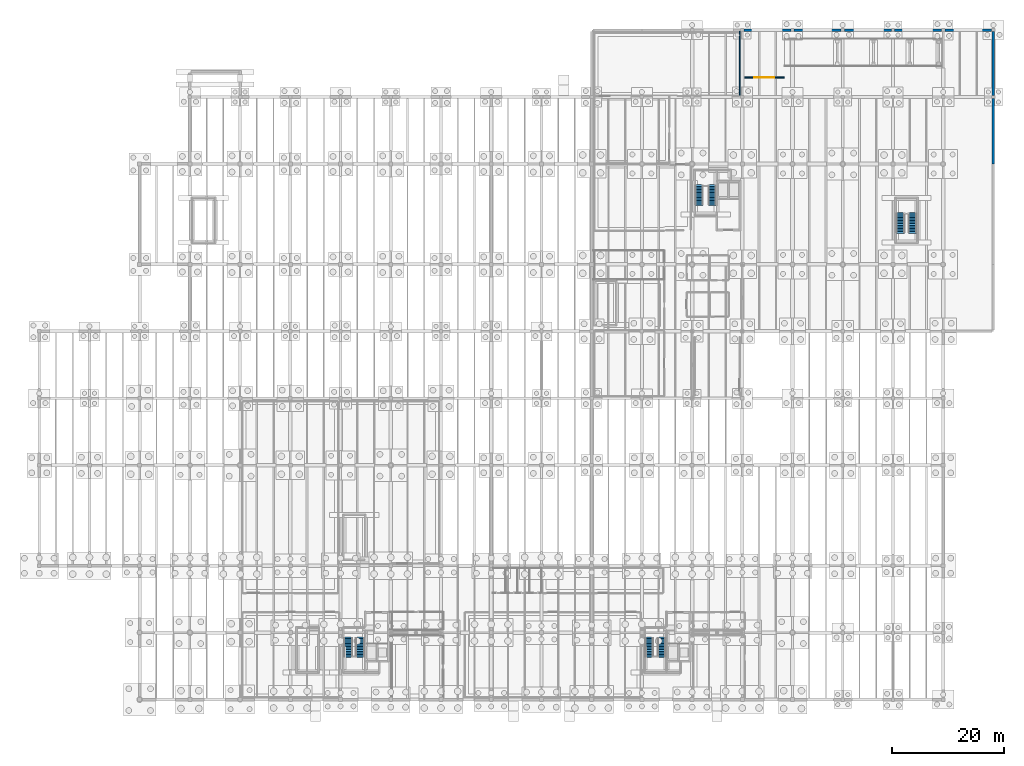
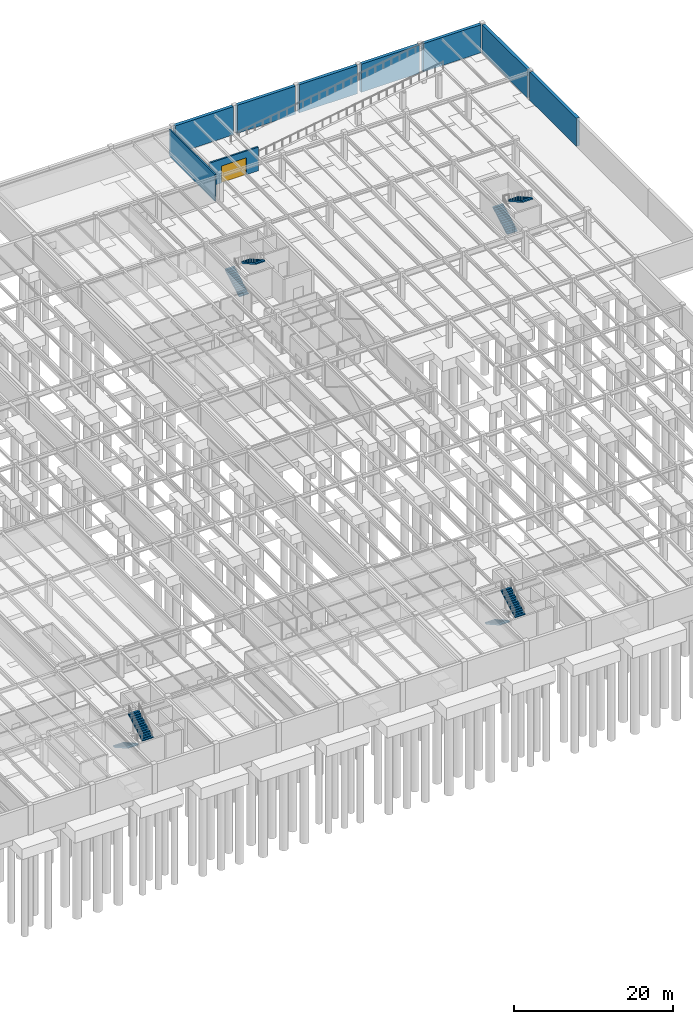
# One storey, part 35 of 40: 9 walls, 8 stair flights, 1 door, 1 opening, 4 elements without a shape of their own.
"""IFC4 building model written with IfcOpenShell, lengths in metres."""

from ifc_helpers import new_model, si_unit, direction, frame, frame_2d, origin, place, context, subcontext, project, spatial, polyline, rectangle, outline, extrude, material, layer, layer_set, type_object, element, fill, aggregate, save


model = new_model("IFC4")

# Units and contexts
model_context = context("Model", 3, precision=1e-05, world=origin(), true_north=direction((0.0, 1.0)))
body_context = subcontext(model_context, "Body", "Model", "MODEL_VIEW")
ifc_project = project(units=[si_unit("LENGTHUNIT", "METRE"), si_unit("AREAUNIT", "SQUARE_METRE"), si_unit("VOLUMEUNIT", "CUBIC_METRE"), si_unit("PLANEANGLEUNIT", "RADIAN"), si_unit("MASSUNIT", "GRAM", prefix="KILO")], contexts=[model_context])

# Site, building, storey
site_placement = place(None, origin())
site = spatial("IfcSite", under=ifc_project, at=site_placement, CompositionType="ELEMENT")
building_placement = place(site_placement, origin())
building = spatial("IfcBuilding", under=site, at=building_placement, Name="Montelvaro Courts of Justice", CompositionType="ELEMENT")
storey_placement = place(building_placement, frame((0.0, 0.0, -4.5)))
storey = spatial("IfcBuildingStorey", under=building, at=storey_placement, Name="B01", CompositionType="ELEMENT", Elevation=-4.5)

# Walls
ifc_material_1 = material(Name="Fire-rated gypsum and steel stud", Category="steel")
ifc_layer_1 = layer(ifc_material_1, 0.179931640625)
ifc_layer_set_1 = layer_set([ifc_layer_1], Name="Fire-rated gypsum and steel stud")
wall_type_1 = type_object("IfcWallType", Name="CorridorFireWall_180", PredefinedType="PARTITIONING", material=ifc_layer_set_1)
wall_1_placement = place(storey_placement, frame((125.5, 119.780029296875, 0.0), z_axis=(0.0, 0.0, 1.0), x_axis=(0.0, -1.0, 0.0)))
element("IfcWall", 1, at=wall_1_placement, inside=storey, type_object=wall_type_1, Name="Interior Partition IW-02 (B01)", PredefinedType="PARTITIONING", context=body_context, shape_type="SweptSolid", body=[
    extrude(rectangle(XDim=11.5, YDim=0.179931640625, at=frame_2d((5.75, 0.0))), origin(), (0.0, 0.0, 1.0), 4.139892578125),
])
ifc_material_2 = material(Name="Concrete C35/45", Category="concrete")
ifc_layer_2 = layer(ifc_material_2, 0.449951171875)
ifc_layer_set_2 = layer_set([ifc_layer_2], Name="Concrete C35/45")
wall_type_2 = type_object("IfcWallType", Name="RetainingWall_450", PredefinedType="USERDEFINED", material=ifc_layer_set_2)
wall_2_placement = place(storey_placement, frame((171.0, 96.0, 0.0), z_axis=(0.0, 0.0, 1.0), x_axis=(0.0, 1.0, 0.0)))
element("IfcWall", 2, at=wall_2_placement, inside=storey, type_object=wall_type_2, Name="Basement Plinth Retaining Wall RW-01-016", ObjectType="RETAININGWALL", PredefinedType="USERDEFINED", context=body_context, shape_type="SweptSolid", body=[
    extrude(rectangle(XDim=11.7041015625, YDim=0.449951171875, at=frame_2d((5.85205078125, 0.0))), origin(), (0.0, 0.0, 1.0), 4.320068359375),
])
wall_3_placement = place(storey_placement, frame((171.0, 108.2958984375, 0.0), z_axis=(0.0, 0.0, 1.0), x_axis=(0.0, 1.0, 0.0)))
element("IfcWall", 3, at=wall_3_placement, inside=storey, type_object=wall_type_2, Name="Basement Plinth Retaining Wall RW-01-017", ObjectType="RETAININGWALL", PredefinedType="USERDEFINED", context=body_context, shape_type="SweptSolid", body=[
    extrude(rectangle(XDim=11.407958984375, YDim=0.449951171875, at=frame_2d((5.7041015625, 0.0))), origin(), (0.0, 0.0, 1.0), 4.320068359375),
])
wall_4_placement = place(storey_placement, frame((170.703857421875, 120.0, 0.0), z_axis=(0.0, 0.0, 1.0), x_axis=(-1.0, 0.0, 0.0)))
element("IfcWall", 4, at=wall_4_placement, inside=storey, type_object=wall_type_2, Name="Basement Plinth Retaining Wall RW-01-018", ObjectType="RETAININGWALL", PredefinedType="USERDEFINED", context=body_context, shape_type="SweptSolid", body=[
    extrude(rectangle(XDim=8.407958984375, YDim=0.449951171875, at=frame_2d((4.2041015625, 0.0))), origin(), (0.0, 0.0, 1.0), 4.320068359375),
])
for number, where, z_axis, x_axis, name in (
    (5, (161.7041015625, 120.0, 0.0), (0.0, 0.0, 1.0), (-1.0, 0.0, 0.0), "Basement Plinth Retaining Wall RW-01-019"),
    (6, (152.7041015625, 120.0, 0.0), (0.0, 0.0, 1.0), (-1.0, 0.0, 0.0), "Basement Plinth Retaining Wall RW-01-020"),
    (7, (143.7041015625, 120.0, 0.0), (0.0, 0.0, 1.0), (-1.0, 0.0, 0.0), "Basement Plinth Retaining Wall RW-01-021"),
    (8, (134.7041015625, 120.0, 0.0), (0.0, 0.0, 1.0), (-1.0, 0.0, 0.0), "Basement Plinth Retaining Wall RW-01-022"),
):
    element("IfcWall", number, at=place(storey_placement, frame(where, z_axis=z_axis, x_axis=x_axis)), inside=storey, type_object=wall_type_2, Name=name, ObjectType="RETAININGWALL", PredefinedType="USERDEFINED", context=body_context, shape_type="SweptSolid", body=[
        extrude(rectangle(XDim=8.408203125, YDim=0.449951171875, at=frame_2d((4.2041015625, 0.0))), origin(), (0.0, 0.0, 1.0), 4.320068359375),
    ])

# Wall, opening, door
ifc_layer_3 = layer(ifc_material_2, 0.239990234375)
ifc_layer_set_3 = layer_set([ifc_layer_3], Name="Concrete C35/45")
wall_type_3 = type_object("IfcWallType", Name="ShaftWall_240", PredefinedType="SHEAR", material=ifc_layer_set_3)
wall_5_placement = place(storey_placement, frame((126.39990234375, 111.5, 0.0), z_axis=(0.0, 0.0, 1.0), x_axis=(1.0, 0.0, 0.0)))
wall_5 = element("IfcWall", 9, at=wall_5_placement, inside=storey, type_object=wall_type_3, Name="Basement Car Park Vehicle Portal Wall B01", PredefinedType="SHEAR", context=body_context, shape_type="SweptSolid", body=[
    extrude(rectangle(XDim=7.10009765625, YDim=0.239990234375, at=frame_2d((3.550048828125, 0.0))), origin(), (0.0, 0.0, 1.0), 3.639892578125),
])
opening_placement = place(wall_5_placement, frame((1.75, 0.0, 0.0)))
opening = element("IfcOpeningElement", 10, at=opening_placement, cuts=wall_5, Name="Opening VG-02", PredefinedType="OPENING", context=body_context, shape_type="SweptSolid", body=[
    extrude(rectangle(XDim=3.60009765625, YDim=2.60009765625, at=frame_2d((1.800048828125, 1.300048828125))), frame((0.0, 0.134765625, 0.0), z_axis=(0.0, -1.0, 0.0), x_axis=(1.0, 0.0, 0.0)), (0.0, 0.0, 1.0), 0.269775390625),
])
ifc_material_3 = material(Name="Galvanised steel S355 security door", Category="steel")
door_type = type_object("IfcDoorType", Name="CarParkGate_360x260", OperationType="ROLLINGUP", PredefinedType="GATE", material=ifc_material_3)
door_placement = place(opening_placement, frame((3.60009765625, 0.0, 0.0), z_axis=(0.0, 0.0, 1.0), x_axis=(-1.0, 0.0, 0.0)))
door = element("IfcDoor", 11, at=door_placement, inside=storey, type_object=door_type, Name="Basement Car Park Overhead Vehicle Shutter Gate VG-02", OperationType="ROLLINGUP", OverallHeight=2.60009765625, OverallWidth=3.60009765625, PredefinedType="GATE", context=body_context, shape_type="SweptSolid", body=[
    extrude(rectangle(XDim=3.60009765625, YDim=2.60009765625, at=frame_2d((1.800048828125, 1.300048828125))), frame((0.0, 0.02490234375, 0.0), z_axis=(0.0, -1.0, 0.0), x_axis=(1.0, 0.0, 0.0)), (0.0, 0.0, 1.0), 0.050048828125),
])
fill(opening, door)

# Stair, stair flights
stair_type_1 = type_object("IfcStairType", Name="ProtectedStair_135", PredefinedType="HALF_TURN_STAIR", material=ifc_material_2)
stair_1_placement = place(storey_placement, origin())
stair_1 = element("IfcStair", 12, at=stair_1_placement, inside=storey, type_object=stair_type_1, Name="Protected Stair ST-K3-B01", PredefinedType="HALF_TURN_STAIR")
stair_flight_type_1 = type_object("IfcStairFlightType", Name="StairFlight_135", PredefinedType="STRAIGHT", material=ifc_material_2)
stair_flight_1_placement = place(storey_placement, frame((118.27490234375, 88.580078125, 0.0), z_axis=(0.0, 0.0, 1.0), x_axis=(0.0, 1.0, 0.0)))
stair_flight_1 = element("IfcStairFlight", 13, at=stair_flight_1_placement, type_object=stair_flight_type_1, Name="ST-K3-B01 flight 1", NumberOfRisers=14, NumberOfTreads=13, PredefinedType="STRAIGHT", RiserHeight=0.160714286, TreadLength=0.285, context=body_context, shape_type="SweptSolid", body=[
    extrude(outline(polyline([(0.0, 0.0), (0.0, 0.16064453125), (0.284912109375, 0.16064453125), (0.284912109375, 0.321533203125), (0.570068359375, 0.321533203125), (0.570068359375, 0.482177734375), (0.85498046875, 0.482177734375), (0.85498046875, 0.642822265625), (1.139892578125, 0.642822265625), (1.139892578125, 0.803466796875), (1.425048828125, 0.803466796875), (1.425048828125, 0.96435546875), (1.7099609375, 0.96435546875), (1.7099609375, 1.125), (1.9951171875, 1.125), (1.9951171875, 1.28564453125), (2.280029296875, 1.28564453125), (2.280029296875, 1.446533203125), (2.56494140625, 1.446533203125), (2.56494140625, 1.607177734375), (2.85009765625, 1.607177734375), (2.85009765625, 1.767822265625), (3.135009765625, 1.767822265625), (3.135009765625, 1.928466796875), (3.419921875, 1.928466796875), (3.419921875, 2.08935546875), (3.705078125, 2.08935546875), (3.705078125, 2.25), (3.705078125, 1.90576171875), (0.325439453125, 0.0), (0.0, 0.0)])), frame((0.0, 0.675048828125, 0.0), z_axis=(0.0, -1.0, 0.0), x_axis=(1.0, 0.0, 0.0)), (0.0, 0.0, 1.0), 1.35009765625),
])
stair_flight_2_placement = place(storey_placement, frame((120.625, 92.284912109375, 2.25), z_axis=(0.0, 0.0, 1.0), x_axis=(0.0, -1.0, 0.0)))
stair_flight_2 = element("IfcStairFlight", 14, at=stair_flight_2_placement, type_object=stair_flight_type_1, Name="ST-K3-B01 flight 2", NumberOfRisers=14, NumberOfTreads=13, PredefinedType="STRAIGHT", RiserHeight=0.160714286, TreadLength=0.285, context=body_context, shape_type="SweptSolid", body=[
    extrude(outline(polyline([(0.0, 0.0), (0.0, 0.16064453125), (0.284912109375, 0.16064453125), (0.284912109375, 0.321533203125), (0.570068359375, 0.321533203125), (0.570068359375, 0.482177734375), (0.85498046875, 0.482177734375), (0.85498046875, 0.642822265625), (1.139892578125, 0.642822265625), (1.139892578125, 0.803466796875), (1.425048828125, 0.803466796875), (1.425048828125, 0.96435546875), (1.7099609375, 0.96435546875), (1.7099609375, 1.125), (1.9951171875, 1.125), (1.9951171875, 1.28564453125), (2.280029296875, 1.28564453125), (2.280029296875, 1.446533203125), (2.56494140625, 1.446533203125), (2.56494140625, 1.607177734375), (2.85009765625, 1.607177734375), (2.85009765625, 1.767822265625), (3.135009765625, 1.767822265625), (3.135009765625, 1.928466796875), (3.419921875, 1.928466796875), (3.419921875, 2.08935546875), (3.705078125, 2.08935546875), (3.705078125, 2.25), (3.705078125, 1.90576171875), (0.325439453125, 0.0), (0.0, 0.0)])), frame((0.0, 0.675048828125, 0.0), z_axis=(0.0, -1.0, 0.0), x_axis=(1.0, 0.0, 0.0)), (0.0, 0.0, 1.0), 1.35009765625),
])
aggregate(stair_1, [stair_flight_1, stair_flight_2])

stair_type_2 = type_object("IfcStairType", Name="ProtectedStair_145", PredefinedType="HALF_TURN_STAIR", material=ifc_material_2)
stair_2_placement = place(storey_placement, origin())
stair_2 = element("IfcStair", 15, at=stair_2_placement, inside=storey, type_object=stair_type_2, Name="Protected Stair ST-K2-B01", PredefinedType="HALF_TURN_STAIR")
stair_flight_type_2 = type_object("IfcStairFlightType", Name="StairFlight_145", PredefinedType="STRAIGHT", material=ifc_material_2)
stair_flight_3_placement = place(storey_placement, frame((109.324951171875, 11.219970703125, 0.0), z_axis=(0.0, 0.0, 1.0), x_axis=(0.0, -1.0, 0.0)))
stair_flight_3 = element("IfcStairFlight", 16, at=stair_flight_3_placement, type_object=stair_flight_type_2, Name="ST-K2-B01 flight 1", NumberOfRisers=14, NumberOfTreads=13, PredefinedType="STRAIGHT", RiserHeight=0.160714286, TreadLength=0.285, context=body_context, shape_type="SweptSolid", body=[
    extrude(outline(polyline([(0.0, 0.0), (0.0, 0.16064453125), (0.284912109375, 0.16064453125), (0.284912109375, 0.321533203125), (0.570068359375, 0.321533203125), (0.570068359375, 0.482177734375), (0.85498046875, 0.482177734375), (0.85498046875, 0.642822265625), (1.139892578125, 0.642822265625), (1.139892578125, 0.803466796875), (1.425048828125, 0.803466796875), (1.425048828125, 0.96435546875), (1.7099609375, 0.96435546875), (1.7099609375, 1.125), (1.9951171875, 1.125), (1.9951171875, 1.28564453125), (2.280029296875, 1.28564453125), (2.280029296875, 1.446533203125), (2.56494140625, 1.446533203125), (2.56494140625, 1.607177734375), (2.85009765625, 1.607177734375), (2.85009765625, 1.767822265625), (3.135009765625, 1.767822265625), (3.135009765625, 1.928466796875), (3.419921875, 1.928466796875), (3.419921875, 2.08935546875), (3.705078125, 2.08935546875), (3.705078125, 2.25), (3.705078125, 1.90576171875), (0.325439453125, 0.0), (0.0, 0.0)])), frame((0.0, 0.72509765625, 0.0), z_axis=(0.0, -1.0, 0.0), x_axis=(1.0, 0.0, 0.0)), (0.0, 0.0, 1.0), 1.449951171875),
])
stair_flight_4_placement = place(storey_placement, frame((111.574951171875, 7.514892578125, 2.25), z_axis=(0.0, 0.0, 1.0), x_axis=(0.0, 1.0, 0.0)))
stair_flight_4 = element("IfcStairFlight", 17, at=stair_flight_4_placement, type_object=stair_flight_type_2, Name="ST-K2-B01 flight 2", NumberOfRisers=14, NumberOfTreads=13, PredefinedType="STRAIGHT", RiserHeight=0.160714286, TreadLength=0.285, context=body_context, shape_type="SweptSolid", body=[
    extrude(outline(polyline([(0.0, 0.0), (0.0, 0.16064453125), (0.284912109375, 0.16064453125), (0.284912109375, 0.321533203125), (0.570068359375, 0.321533203125), (0.570068359375, 0.482177734375), (0.85498046875, 0.482177734375), (0.85498046875, 0.642822265625), (1.139892578125, 0.642822265625), (1.139892578125, 0.803466796875), (1.425048828125, 0.803466796875), (1.425048828125, 0.96435546875), (1.7099609375, 0.96435546875), (1.7099609375, 1.125), (1.9951171875, 1.125), (1.9951171875, 1.28564453125), (2.280029296875, 1.28564453125), (2.280029296875, 1.446533203125), (2.56494140625, 1.446533203125), (2.56494140625, 1.607177734375), (2.85009765625, 1.607177734375), (2.85009765625, 1.767822265625), (3.135009765625, 1.767822265625), (3.135009765625, 1.928466796875), (3.419921875, 1.928466796875), (3.419921875, 2.08935546875), (3.705078125, 2.08935546875), (3.705078125, 2.25), (3.705078125, 1.90576171875), (0.325439453125, 0.0), (0.0, 0.0)])), frame((0.0, 0.72509765625, 0.0), z_axis=(0.0, -1.0, 0.0), x_axis=(1.0, 0.0, 0.0)), (0.0, 0.0, 1.0), 1.449951171875),
])
aggregate(stair_2, [stair_flight_3, stair_flight_4])

stair_type_3 = type_object("IfcStairType", Name="ProtectedStair_150", PredefinedType="HALF_TURN_STAIR", material=ifc_material_2)
stair_3_placement = place(storey_placement, origin())
stair_3 = element("IfcStair", 18, at=stair_3_placement, inside=storey, type_object=stair_type_3, Name="Protected Stair ST-V2-B01", PredefinedType="HALF_TURN_STAIR")
stair_flight_type_3 = type_object("IfcStairFlightType", Name="StairFlight_150", PredefinedType="STRAIGHT", material=ifc_material_2)
stair_flight_5_placement = place(storey_placement, frame((154.35009765625, 83.580078125, 0.0), z_axis=(0.0, 0.0, 1.0), x_axis=(0.0, 1.0, 0.0)))
stair_flight_5 = element("IfcStairFlight", 19, at=stair_flight_5_placement, type_object=stair_flight_type_3, Name="ST-V2-B01 flight 1", NumberOfRisers=14, NumberOfTreads=13, PredefinedType="STRAIGHT", RiserHeight=0.160714286, TreadLength=0.285, context=body_context, shape_type="SweptSolid", body=[
    extrude(outline(polyline([(0.0, 0.0), (0.0, 0.16064453125), (0.284912109375, 0.16064453125), (0.284912109375, 0.321533203125), (0.570068359375, 0.321533203125), (0.570068359375, 0.482177734375), (0.85498046875, 0.482177734375), (0.85498046875, 0.642822265625), (1.139892578125, 0.642822265625), (1.139892578125, 0.803466796875), (1.425048828125, 0.803466796875), (1.425048828125, 0.96435546875), (1.7099609375, 0.96435546875), (1.7099609375, 1.125), (1.9951171875, 1.125), (1.9951171875, 1.28564453125), (2.280029296875, 1.28564453125), (2.280029296875, 1.446533203125), (2.56494140625, 1.446533203125), (2.56494140625, 1.607177734375), (2.85009765625, 1.607177734375), (2.85009765625, 1.767822265625), (3.135009765625, 1.767822265625), (3.135009765625, 1.928466796875), (3.419921875, 1.928466796875), (3.419921875, 2.08935546875), (3.705078125, 2.08935546875), (3.705078125, 2.25), (3.705078125, 1.90576171875), (0.325439453125, 0.0), (0.0, 0.0)])), frame((0.0, 0.75, 0.0), z_axis=(0.0, -1.0, 0.0), x_axis=(1.0, 0.0, 0.0)), (0.0, 0.0, 1.0), 1.5),
])
stair_flight_6_placement = place(storey_placement, frame((156.550048828125, 87.284912109375, 2.25), z_axis=(0.0, 0.0, 1.0), x_axis=(0.0, -1.0, 0.0)))
stair_flight_6 = element("IfcStairFlight", 20, at=stair_flight_6_placement, type_object=stair_flight_type_3, Name="ST-V2-B01 flight 2", NumberOfRisers=14, NumberOfTreads=13, PredefinedType="STRAIGHT", RiserHeight=0.160714286, TreadLength=0.285, context=body_context, shape_type="SweptSolid", body=[
    extrude(outline(polyline([(0.0, 0.0), (0.0, 0.16064453125), (0.284912109375, 0.16064453125), (0.284912109375, 0.321533203125), (0.570068359375, 0.321533203125), (0.570068359375, 0.482177734375), (0.85498046875, 0.482177734375), (0.85498046875, 0.642822265625), (1.139892578125, 0.642822265625), (1.139892578125, 0.803466796875), (1.425048828125, 0.803466796875), (1.425048828125, 0.96435546875), (1.7099609375, 0.96435546875), (1.7099609375, 1.125), (1.9951171875, 1.125), (1.9951171875, 1.28564453125), (2.280029296875, 1.28564453125), (2.280029296875, 1.446533203125), (2.56494140625, 1.446533203125), (2.56494140625, 1.607177734375), (2.85009765625, 1.607177734375), (2.85009765625, 1.767822265625), (3.135009765625, 1.767822265625), (3.135009765625, 1.928466796875), (3.419921875, 1.928466796875), (3.419921875, 2.08935546875), (3.705078125, 2.08935546875), (3.705078125, 2.25), (3.705078125, 1.90576171875), (0.325439453125, 0.0), (0.0, 0.0)])), frame((0.0, 0.75, 0.0), z_axis=(0.0, -1.0, 0.0), x_axis=(1.0, 0.0, 0.0)), (0.0, 0.0, 1.0), 1.5),
])
aggregate(stair_3, [stair_flight_5, stair_flight_6])

stair_type_4 = type_object("IfcStairType", Name="ProtectedStair_155", PredefinedType="HALF_TURN_STAIR", material=ifc_material_2)
stair_4_placement = place(storey_placement, origin())
stair_4 = element("IfcStair", 21, at=stair_4_placement, inside=storey, type_object=stair_type_4, Name="Protected Stair ST-K1-B01", PredefinedType="HALF_TURN_STAIR")
stair_flight_type_4 = type_object("IfcStairFlightType", Name="StairFlight_155", PredefinedType="STRAIGHT", material=ifc_material_2)
stair_flight_7_placement = place(storey_placement, frame((55.375, 11.219970703125, 0.0), z_axis=(0.0, 0.0, 1.0), x_axis=(0.0, -1.0, 0.0)))
stair_flight_7 = element("IfcStairFlight", 22, at=stair_flight_7_placement, type_object=stair_flight_type_4, Name="ST-K1-B01 flight 1", NumberOfRisers=14, NumberOfTreads=13, PredefinedType="STRAIGHT", RiserHeight=0.160714286, TreadLength=0.285, context=body_context, shape_type="SweptSolid", body=[
    extrude(outline(polyline([(0.0, 0.0), (0.0, 0.16064453125), (0.284912109375, 0.16064453125), (0.284912109375, 0.321533203125), (0.570068359375, 0.321533203125), (0.570068359375, 0.482177734375), (0.85498046875, 0.482177734375), (0.85498046875, 0.642822265625), (1.139892578125, 0.642822265625), (1.139892578125, 0.803466796875), (1.425048828125, 0.803466796875), (1.425048828125, 0.96435546875), (1.7099609375, 0.96435546875), (1.7099609375, 1.125), (1.9951171875, 1.125), (1.9951171875, 1.28564453125), (2.280029296875, 1.28564453125), (2.280029296875, 1.446533203125), (2.56494140625, 1.446533203125), (2.56494140625, 1.607177734375), (2.85009765625, 1.607177734375), (2.85009765625, 1.767822265625), (3.135009765625, 1.767822265625), (3.135009765625, 1.928466796875), (3.419921875, 1.928466796875), (3.419921875, 2.08935546875), (3.705078125, 2.08935546875), (3.705078125, 2.25), (3.705078125, 1.90576171875), (0.325439453125, 0.0), (0.0, 0.0)])), frame((0.0, 0.77490234375, 0.0), z_axis=(0.0, -1.0, 0.0), x_axis=(1.0, 0.0, 0.0)), (0.0, 0.0, 1.0), 1.550048828125),
])
stair_flight_8_placement = place(storey_placement, frame((57.52490234375, 7.514892578125, 2.25), z_axis=(0.0, 0.0, 1.0), x_axis=(0.0, 1.0, 0.0)))
stair_flight_8 = element("IfcStairFlight", 23, at=stair_flight_8_placement, type_object=stair_flight_type_4, Name="ST-K1-B01 flight 2", NumberOfRisers=14, NumberOfTreads=13, PredefinedType="STRAIGHT", RiserHeight=0.160714286, TreadLength=0.285, context=body_context, shape_type="SweptSolid", body=[
    extrude(outline(polyline([(0.0, 0.0), (0.0, 0.16064453125), (0.284912109375, 0.16064453125), (0.284912109375, 0.321533203125), (0.570068359375, 0.321533203125), (0.570068359375, 0.482177734375), (0.85498046875, 0.482177734375), (0.85498046875, 0.642822265625), (1.139892578125, 0.642822265625), (1.139892578125, 0.803466796875), (1.425048828125, 0.803466796875), (1.425048828125, 0.96435546875), (1.7099609375, 0.96435546875), (1.7099609375, 1.125), (1.9951171875, 1.125), (1.9951171875, 1.28564453125), (2.280029296875, 1.28564453125), (2.280029296875, 1.446533203125), (2.56494140625, 1.446533203125), (2.56494140625, 1.607177734375), (2.85009765625, 1.607177734375), (2.85009765625, 1.767822265625), (3.135009765625, 1.767822265625), (3.135009765625, 1.928466796875), (3.419921875, 1.928466796875), (3.419921875, 2.08935546875), (3.705078125, 2.08935546875), (3.705078125, 2.25), (3.705078125, 1.90576171875), (0.325439453125, 0.0), (0.0, 0.0)])), frame((0.0, 0.77490234375, 0.0), z_axis=(0.0, -1.0, 0.0), x_axis=(1.0, 0.0, 0.0)), (0.0, 0.0, 1.0), 1.550048828125),
])
aggregate(stair_4, [stair_flight_7, stair_flight_8])

save(model, "model.ifc")
